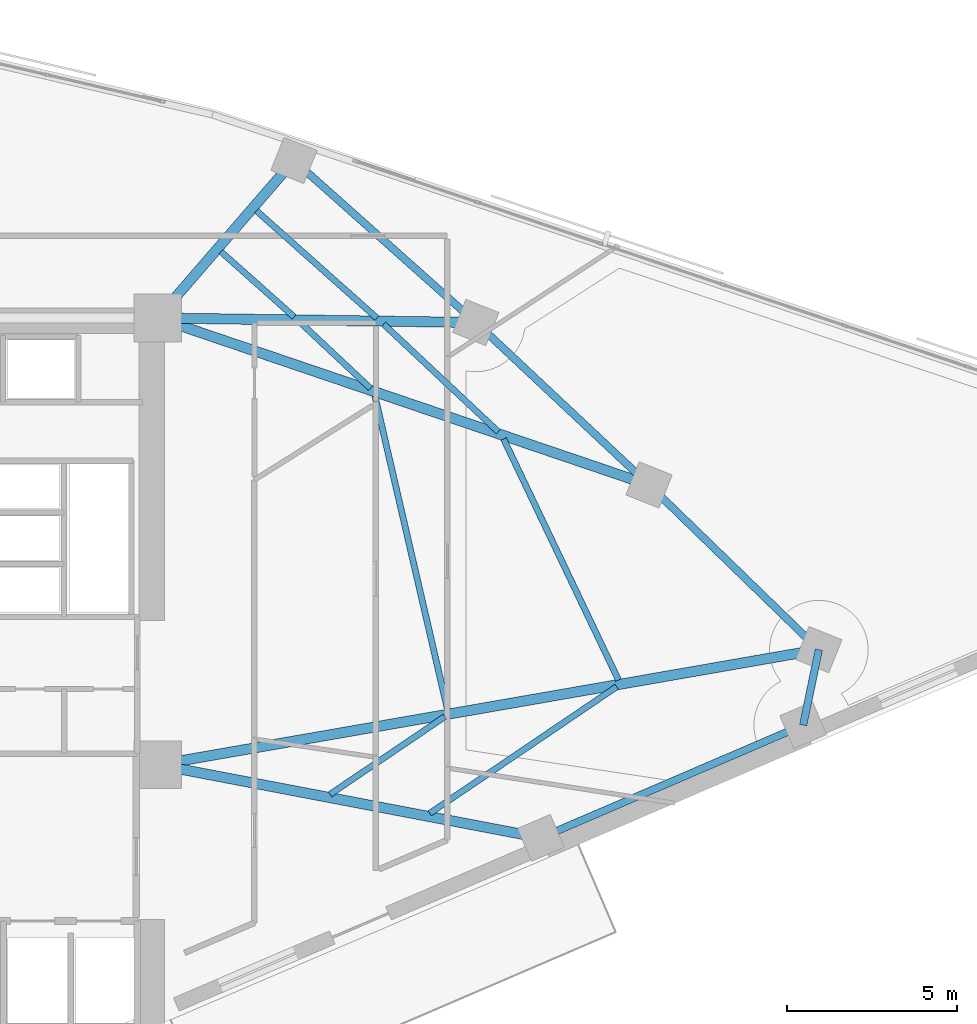
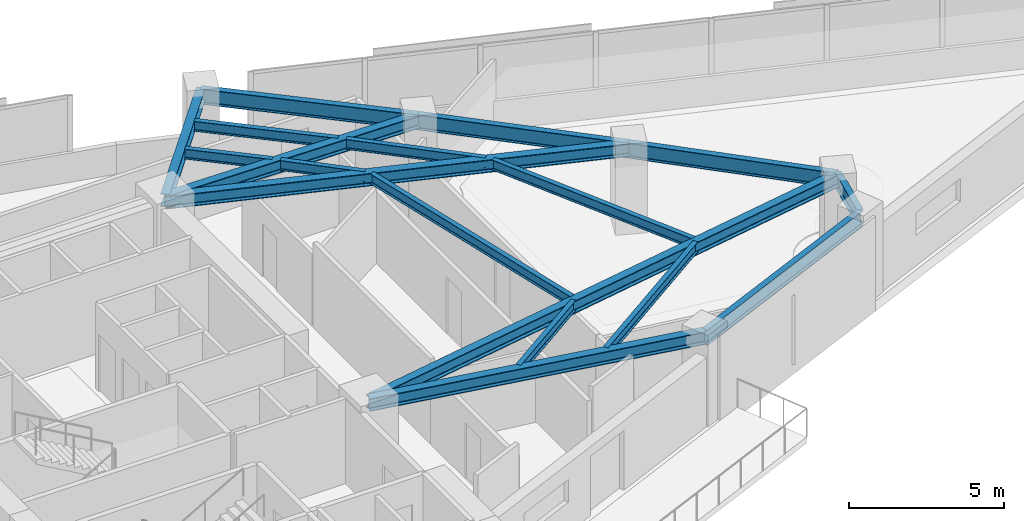
# One storey, part 3 of 13: 18 beams.
"""IFC4 building model written with IfcOpenShell, lengths in metres."""

from ifc_helpers import new_model, si_unit, direction, frame, origin, origin_2d, place, context, subcontext, project, spatial, i_section, extrude, material, material_profile, profile_set, type_object, element, save


model = new_model("IFC4")

# Units and contexts
model_context = context("Model", 3, precision=1e-05, world=origin(), true_north=direction((0.0, 1.0)))
body_context = subcontext(model_context, "Body", "Model", "MODEL_VIEW")
ifc_project = project(units=[si_unit("LENGTHUNIT", "METRE"), si_unit("AREAUNIT", "SQUARE_METRE"), si_unit("VOLUMEUNIT", "CUBIC_METRE"), si_unit("PLANEANGLEUNIT", "RADIAN"), si_unit("MASSUNIT", "GRAM", prefix="KILO")], contexts=[model_context])

# Site, building, storey
site_placement = place(None, origin())
site = spatial("IfcSite", under=ifc_project, at=site_placement, CompositionType="ELEMENT")
building_placement = place(site_placement, origin())
building = spatial("IfcBuilding", under=site, at=building_placement, Name="Narakoshi Arena Tower", CompositionType="ELEMENT")
storey_placement = place(building_placement, frame((0.0, 0.0, 164.699951171875)))
storey = spatial("IfcBuildingStorey", under=building, at=storey_placement, Name="L44", CompositionType="ELEMENT", Elevation=164.699951171875)

# Beams
ifc_material = material(Name="Structural steel S355J2", Category="steel")
ifc_material_profile_1 = material_profile(ifc_material, i_section(OverallWidth=0.219970703125, OverallDepth=0.60009765625, WebThickness=0.011962890625, FlangeThickness=0.01904296875, FilletRadius=0.02392578125, at=origin_2d()), Name="IPE600")
ifc_profile_set_1 = profile_set([ifc_material_profile_1], Name="Structural steel S355J2")
beam_type_1 = type_object("IfcBeamType", Name="BM-EDGE-600", PredefinedType="BEAM", material=ifc_profile_set_1)
beam_1_placement = place(storey_placement, frame((96.830078125, 41.2001953125, 3.0400390625), z_axis=(0.918792947441, 0.394739812703, 0.0), x_axis=(-0.394739812703, 0.918792947441, 0.0)))
element("IfcBeam", 1, at=beam_1_placement, inside=storey, type_object=beam_type_1, Name="L44 Perimeter Edge Girder 01", PredefinedType="BEAM", context=body_context, shape_type="SweptSolid", body=[
    extrude(i_section(OverallWidth=0.219970703125, OverallDepth=0.60009765625, WebThickness=0.011962890625, FlangeThickness=0.01904296875, FilletRadius=0.02392578125, at=origin_2d()), origin(), (0.0, 0.0, 1.0), 8.401611328125),
])
beam_2_placement = place(storey_placement, frame((104.54931640625, 44.5166015625, 3.0400390625), z_axis=(0.203000450605, 0.979178644096, 0.0), x_axis=(-0.979178644096, 0.203000450605, 0.0)))
element("IfcBeam", 2, at=beam_2_placement, inside=storey, type_object=beam_type_1, Name="L44 Perimeter Edge Girder 02", PredefinedType="BEAM", context=body_context, shape_type="SweptSolid", body=[
    extrude(i_section(OverallWidth=0.219970703125, OverallDepth=0.60009765625, WebThickness=0.011962890625, FlangeThickness=0.01904296875, FilletRadius=0.02392578125, at=origin_2d()), origin(), (0.0, 0.0, 1.0), 2.26953125),
])
beam_3_placement = place(storey_placement, frame((105.010009765625, 46.73876953125, 3.0400390625), z_axis=(-0.717826032278, 0.696222512839, 0.0), x_axis=(-0.696222512839, -0.717826032278, 0.0)))
element("IfcBeam", 3, at=beam_3_placement, inside=storey, type_object=beam_type_1, Name="L44 Perimeter Edge Girder 03", PredefinedType="BEAM", context=body_context, shape_type="SweptSolid", body=[
    extrude(i_section(OverallWidth=0.219970703125, OverallDepth=0.60009765625, WebThickness=0.011962890625, FlangeThickness=0.01904296875, FilletRadius=0.02392578125, at=origin_2d()), origin(), (0.0, 0.0, 1.0), 6.96142578125),
])
beam_4_placement = place(storey_placement, frame((100.012939453125, 51.58544921875, 3.0400390625), z_axis=(-0.729413011888, 0.684073576517, 0.0), x_axis=(-0.684073576517, -0.729413011888, 0.0)))
element("IfcBeam", 4, at=beam_4_placement, inside=storey, type_object=beam_type_1, Name="L44 Perimeter Edge Girder 04", PredefinedType="BEAM", context=body_context, shape_type="SweptSolid", body=[
    extrude(i_section(OverallWidth=0.219970703125, OverallDepth=0.60009765625, WebThickness=0.011962890625, FlangeThickness=0.01904296875, FilletRadius=0.02392578125, at=origin_2d()), origin(), (0.0, 0.0, 1.0), 6.9892578125),
])
beam_5_placement = place(storey_placement, frame((94.914794921875, 56.36669921875, 3.0400390625), z_axis=(-0.746743797071, 0.665111796269, 0.0), x_axis=(-0.665111796269, -0.746743797071, 0.0)))
element("IfcBeam", 5, at=beam_5_placement, inside=storey, type_object=beam_type_1, Name="L44 Perimeter Edge Girder 05", PredefinedType="BEAM", context=body_context, shape_type="SweptSolid", body=[
    extrude(i_section(OverallWidth=0.219970703125, OverallDepth=0.60009765625, WebThickness=0.011962890625, FlangeThickness=0.01904296875, FilletRadius=0.02392578125, at=origin_2d()), origin(), (0.0, 0.0, 1.0), 7.168701171875),
])
ifc_material_profile_2 = material_profile(ifc_material, i_section(OverallWidth=0.300048828125, OverallDepth=0.5, WebThickness=0.014404296875, FlangeThickness=0.028076171875, FilletRadius=0.027099609375, at=origin_2d()), Name="HE500B")
ifc_profile_set_2 = profile_set([ifc_material_profile_2], Name="Structural steel S355J2")
beam_type_2 = type_object("IfcBeamType", Name="BM-PRI-500", PredefinedType="BEAM", material=ifc_profile_set_2)
beam_6_placement = place(storey_placement, frame((85.550048828125, 43.35009765625, 3.090087890625), z_axis=(0.982317345732, -0.187223482166, 0.0), x_axis=(0.187223482166, 0.982317345732, 0.0)))
element("IfcBeam", 6, at=beam_6_placement, inside=storey, type_object=beam_type_2, Name="L44 Radial Primary Floor Girder 01", PredefinedType="BEAM", context=body_context, shape_type="SweptSolid", body=[
    extrude(i_section(OverallWidth=0.300048828125, OverallDepth=0.5, WebThickness=0.014404296875, FlangeThickness=0.028076171875, FilletRadius=0.027099609375, at=origin_2d()), origin(), (0.0, 0.0, 1.0), 11.483154296875),
])
beam_7_placement = place(storey_placement, frame((85.550048828125, 43.35009765625, 3.090087890625), z_axis=(0.985174720478, 0.171553986052, 0.0), x_axis=(-0.171553986052, 0.985174720478, 0.0)))
element("IfcBeam", 7, at=beam_7_placement, inside=storey, type_object=beam_type_2, Name="L44 Radial Primary Floor Girder 03", PredefinedType="BEAM", context=body_context, shape_type="SweptSolid", body=[
    extrude(i_section(OverallWidth=0.300048828125, OverallDepth=0.5, WebThickness=0.014404296875, FlangeThickness=0.028076171875, FilletRadius=0.027099609375, at=origin_2d()), origin(), (0.0, 0.0, 1.0), 19.752685546875),
])
beam_8_placement = place(storey_placement, frame((85.550048828125, 56.5, 3.090087890625), z_axis=(0.94682923499, -0.321736537818, 0.0), x_axis=(0.321736537818, 0.94682923499, 0.0)))
element("IfcBeam", 8, at=beam_8_placement, inside=storey, type_object=beam_type_2, Name="L44 Radial Primary Floor Girder 04", PredefinedType="BEAM", context=body_context, shape_type="SweptSolid", body=[
    extrude(i_section(OverallWidth=0.300048828125, OverallDepth=0.5, WebThickness=0.014404296875, FlangeThickness=0.028076171875, FilletRadius=0.027099609375, at=origin_2d()), origin(), (0.0, 0.0, 1.0), 15.275146484375),
])
beam_9_placement = place(storey_placement, frame((85.550048828125, 56.5, 3.090087890625), z_axis=(0.999898707477, -0.014232876956, 0.0), x_axis=(0.014232876956, 0.999898707477, 0.0)))
element("IfcBeam", 9, at=beam_9_placement, inside=storey, type_object=beam_type_2, Name="L44 Radial Primary Floor Girder 05", PredefinedType="BEAM", context=body_context, shape_type="SweptSolid", body=[
    extrude(i_section(OverallWidth=0.300048828125, OverallDepth=0.5, WebThickness=0.014404296875, FlangeThickness=0.028076171875, FilletRadius=0.027099609375, at=origin_2d()), origin(), (0.0, 0.0, 1.0), 9.36572265625),
])
beam_10_placement = place(storey_placement, frame((85.550048828125, 56.5, 3.090087890625), z_axis=(0.654434553487, 0.756118651537, 0.0), x_axis=(-0.756118651537, 0.654434553487, 0.0)))
element("IfcBeam", 10, at=beam_10_placement, inside=storey, type_object=beam_type_2, Name="L44 Radial Primary Floor Girder 06", PredefinedType="BEAM", context=body_context, shape_type="SweptSolid", body=[
    extrude(i_section(OverallWidth=0.300048828125, OverallDepth=0.5, WebThickness=0.014404296875, FlangeThickness=0.028076171875, FilletRadius=0.027099609375, at=origin_2d()), origin(), (0.0, 0.0, 1.0), 6.129638671875),
])
ifc_material_profile_3 = material_profile(ifc_material, i_section(OverallWidth=0.179931640625, OverallDepth=0.39990234375, WebThickness=0.008544921875, FlangeThickness=0.013427734375, FilletRadius=0.02099609375, at=origin_2d()), Name="IPE400")
ifc_profile_set_3 = profile_set([ifc_material_profile_3], Name="Structural steel S355J2")
beam_type_3 = type_object("IfcBeamType", Name="BM-SEC-400", PredefinedType="JOIST", material=ifc_profile_set_3)
beam_11_placement = place(storey_placement, frame((90.625, 42.479736328125, 3.14013671875), z_axis=(0.828029909455, 0.560683929721, 0.0), x_axis=(-0.560683929721, 0.828029909455, 0.0)))
element("IfcBeam", 11, at=beam_11_placement, inside=storey, type_object=beam_type_3, Name="L44 Composite Secondary Floor Joist 01", PredefinedType="JOIST", context=body_context, shape_type="SweptSolid", body=[
    extrude(i_section(OverallWidth=0.179931640625, OverallDepth=0.39990234375, WebThickness=0.008544921875, FlangeThickness=0.013427734375, FilletRadius=0.02099609375, at=origin_2d()), origin(), (0.0, 0.0, 1.0), 4.076416015625),
])
beam_12_placement = place(storey_placement, frame((93.557861328125, 41.9208984375, 3.14013671875), z_axis=(0.828038093963, 0.560671842476, 0.0), x_axis=(-0.560671842476, 0.828038093963, 0.0)))
element("IfcBeam", 12, at=beam_12_placement, inside=storey, type_object=beam_type_3, Name="L44 Composite Secondary Floor Joist 02", PredefinedType="JOIST", context=body_context, shape_type="SweptSolid", body=[
    extrude(i_section(OverallWidth=0.179931640625, OverallDepth=0.39990234375, WebThickness=0.008544921875, FlangeThickness=0.013427734375, FilletRadius=0.02099609375, at=origin_2d()), origin(), (0.0, 0.0, 1.0), 6.644775390625),
])
beam_13_placement = place(storey_placement, frame((94.081787109375, 44.97265625, 3.14013671875), z_axis=(-0.225551777579, 0.97423118182, 0.0), x_axis=(-0.97423118182, -0.225551777579, 0.0)))
element("IfcBeam", 13, at=beam_13_placement, inside=storey, type_object=beam_type_3, Name="L44 Composite Secondary Floor Joist 03", PredefinedType="JOIST", context=body_context, shape_type="SweptSolid", body=[
    extrude(i_section(OverallWidth=0.179931640625, OverallDepth=0.39990234375, WebThickness=0.008544921875, FlangeThickness=0.013427734375, FilletRadius=0.02099609375, at=origin_2d()), origin(), (0.0, 0.0, 1.0), 9.4775390625),
])
beam_14_placement = place(storey_placement, frame((99.11376953125, 45.843994140625, 3.14013671875), z_axis=(-0.430296519407, 0.902687601214, 0.0), x_axis=(-0.902687601214, -0.430296519407, 0.0)))
element("IfcBeam", 14, at=beam_14_placement, inside=storey, type_object=beam_type_3, Name="L44 Composite Secondary Floor Joist 04", PredefinedType="JOIST", context=body_context, shape_type="SweptSolid", body=[
    extrude(i_section(OverallWidth=0.179931640625, OverallDepth=0.39990234375, WebThickness=0.008544921875, FlangeThickness=0.013427734375, FilletRadius=0.02099609375, at=origin_2d()), origin(), (0.0, 0.0, 1.0), 7.858642578125),
])
beam_15_placement = place(storey_placement, frame((91.815185546875, 54.429931640625, 3.14013671875), z_axis=(-0.729412358969, 0.68407427271, 0.0), x_axis=(-0.68407427271, -0.729412358969, 0.0)))
element("IfcBeam", 15, at=beam_15_placement, inside=storey, type_object=beam_type_3, Name="L44 Composite Secondary Floor Joist 05", PredefinedType="JOIST", context=body_context, shape_type="SweptSolid", body=[
    extrude(i_section(OverallWidth=0.179931640625, OverallDepth=0.39990234375, WebThickness=0.008544921875, FlangeThickness=0.013427734375, FilletRadius=0.02099609375, at=origin_2d()), origin(), (0.0, 0.0, 1.0), 2.805419921875),
])
beam_16_placement = place(storey_placement, frame((95.57568359375, 53.152099609375, 3.14013671875), z_axis=(-0.729426843307, 0.684058828072, 0.0), x_axis=(-0.684058828072, -0.729426843307, 0.0)))
element("IfcBeam", 16, at=beam_16_placement, inside=storey, type_object=beam_type_3, Name="L44 Composite Secondary Floor Joist 06", PredefinedType="JOIST", context=body_context, shape_type="SweptSolid", body=[
    extrude(i_section(OverallWidth=0.179931640625, OverallDepth=0.39990234375, WebThickness=0.008544921875, FlangeThickness=0.013427734375, FilletRadius=0.02099609375, at=origin_2d()), origin(), (0.0, 0.0, 1.0), 4.62255859375),
])
beam_17_placement = place(storey_placement, frame((89.569580078125, 56.531005859375, 3.14013671875), z_axis=(-0.746689655308, 0.665172578099, 0.0), x_axis=(-0.665172578099, -0.746689655308, 0.0)))
element("IfcBeam", 17, at=beam_17_placement, inside=storey, type_object=beam_type_3, Name="L44 Composite Secondary Floor Joist 07", PredefinedType="JOIST", context=body_context, shape_type="SweptSolid", body=[
    extrude(i_section(OverallWidth=0.179931640625, OverallDepth=0.39990234375, WebThickness=0.008544921875, FlangeThickness=0.013427734375, FilletRadius=0.02099609375, at=origin_2d()), origin(), (0.0, 0.0, 1.0), 2.884033203125),
])
beam_18_placement = place(storey_placement, frame((92.00439453125, 56.49658203125, 3.14013671875), z_axis=(-0.746730885914, 0.665126291784, 0.0), x_axis=(-0.665126291784, -0.746730885914, 0.0)))
element("IfcBeam", 18, at=beam_18_placement, inside=storey, type_object=beam_type_3, Name="L44 Composite Secondary Floor Joist 08", PredefinedType="JOIST", context=body_context, shape_type="SweptSolid", body=[
    extrude(i_section(OverallWidth=0.179931640625, OverallDepth=0.39990234375, WebThickness=0.008544921875, FlangeThickness=0.013427734375, FilletRadius=0.02099609375, at=origin_2d()), origin(), (0.0, 0.0, 1.0), 4.747802734375),
])

save(model, "model.ifc")
